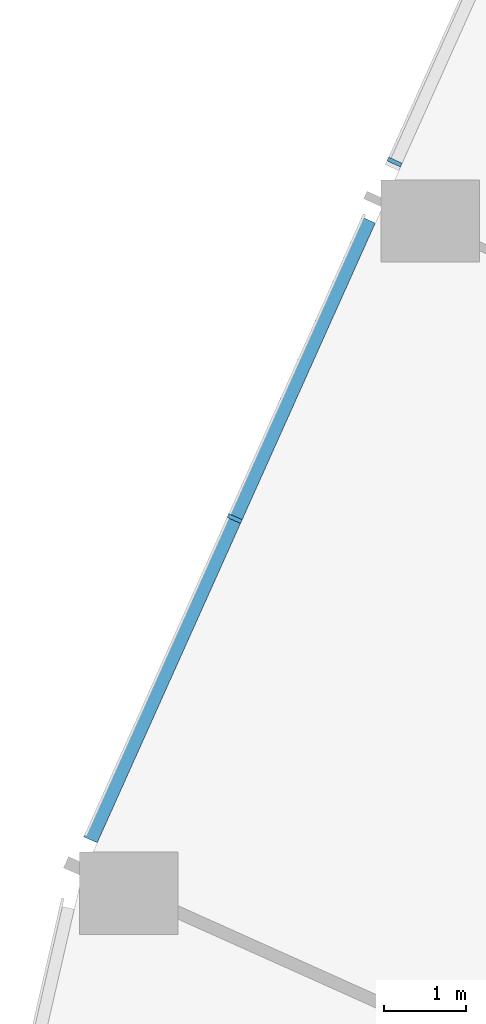
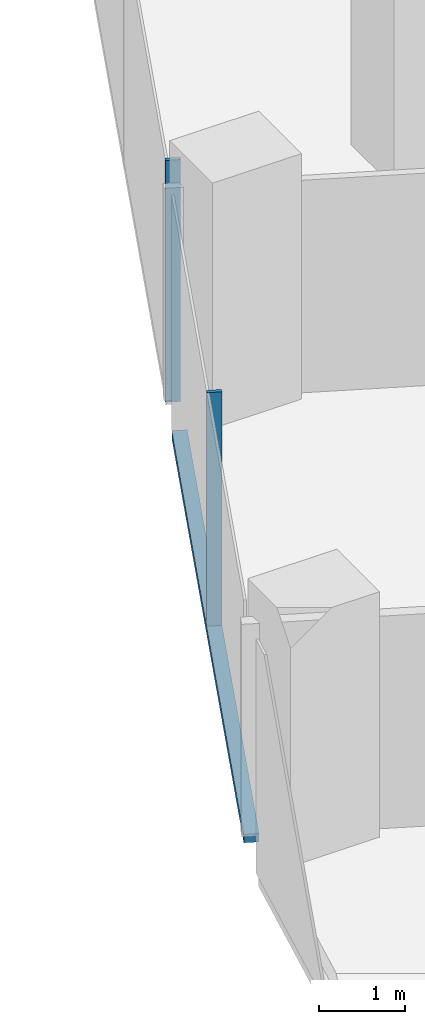
# One storey, part 4 of 34: 3 members, 1 element without a shape of its own.
"""IFC4 building model written with IfcOpenShell, lengths in metres."""

from ifc_helpers import new_model, si_unit, direction, frame, origin, origin_2d, place, context, subcontext, project, spatial, rectangle, extrude, material, material_profile, profile_set, type_object, element, aggregate, save


model = new_model("IFC4")

# Units and contexts
model_context = context("Model", 3, precision=1e-05, world=origin(), true_north=direction((0.0, 1.0)))
body_context = subcontext(model_context, "Body", "Model", "MODEL_VIEW")
ifc_project = project(units=[si_unit("LENGTHUNIT", "METRE"), si_unit("AREAUNIT", "SQUARE_METRE"), si_unit("VOLUMEUNIT", "CUBIC_METRE"), si_unit("PLANEANGLEUNIT", "RADIAN"), si_unit("MASSUNIT", "GRAM", prefix="KILO")], contexts=[model_context])

# Site, building, storey
site_placement = place(None, origin())
site = spatial("IfcSite", under=ifc_project, at=site_placement, CompositionType="ELEMENT")
building_placement = place(site_placement, origin())
building = spatial("IfcBuilding", under=site, at=building_placement, Name="Orlundy Tower", CompositionType="ELEMENT")
storey_placement = place(building_placement, frame((0.0, 0.0, 134.199951171875)))
storey = spatial("IfcBuildingStorey", under=building, at=storey_placement, Name="L34", CompositionType="ELEMENT", Elevation=134.199951171875)

# Curtain wall, members
ifc_material_1 = material(Name="Aluminium bronze anodised", Category="aluminium")
curtain_wall_type = type_object("IfcCurtainWallType", Name="CW1 wall", PredefinedType="NOTDEFINED", material=ifc_material_1)
curtain_wall_placement = place(storey_placement, origin())
curtain_wall = element("IfcCurtainWall", 1, at=curtain_wall_placement, inside=storey, type_object=curtain_wall_type, Name="CW1 run 00", PredefinedType="NOTDEFINED")
ifc_material_2 = material(Name="Aluminium bronze anodised", Category="aluminium")
ifc_material_profile_1 = material_profile(ifc_material_2, rectangle(XDim=0.179931640625, YDim=0.050048828125, at=origin_2d()), Name="CW1 mullion 50x180")
ifc_profile_set_1 = profile_set([ifc_material_profile_1], Name="Aluminium bronze anodised")
member_type_1 = type_object("IfcMemberType", Name="CW1 mullion 50x180", PredefinedType="MULLION", material=ifc_profile_set_1)
member_1_placement = place(storey_placement, frame((-37.26123046875, -33.966552734375, -0.39990234375), z_axis=(0.0, 0.0, 1.0), x_axis=(-0.912353169834, 0.409404071174, 0.0)))
member_1 = element("IfcMember", 2, at=member_1_placement, type_object=member_type_1, Name="CW1 mullion 2", PredefinedType="MULLION", context=body_context, shape_type="SweptSolid", body=[
    extrude(rectangle(XDim=0.179931640625, YDim=0.050048828125, at=origin_2d()), origin(), (0.0, 0.0, 1.0), 3.449951171875),
])
member_2_placement = place(storey_placement, frame((-35.314453125, -29.628173828125, -0.39990234375), z_axis=(0.0, 0.0, 1.0), x_axis=(-0.912353169834, 0.409404071174, 0.0)))
member_2 = element("IfcMember", 3, at=member_2_placement, type_object=member_type_1, Name="CW1 mullion 3", PredefinedType="MULLION", context=body_context, shape_type="SweptSolid", body=[
    extrude(rectangle(XDim=0.179931640625, YDim=0.050048828125, at=origin_2d()), origin(), (0.0, 0.0, 1.0), 3.449951171875),
])
ifc_material_3 = material(Name="Aluminium bronze anodised", Category="aluminium")
ifc_material_profile_2 = material_profile(ifc_material_3, rectangle(XDim=0.179931640625, YDim=0.1201171875, at=origin_2d()), Name="CW1 transom 180x120")
ifc_profile_set_2 = profile_set([ifc_material_profile_2], Name="Aluminium bronze anodised")
member_type_2 = type_object("IfcMemberType", Name="CW1 transom 180x120", PredefinedType="USERDEFINED", material=ifc_profile_set_2)
member_3_placement = place(storey_placement, frame((-39.015869140625, -37.876953125, -0.33984375), z_axis=(0.409379753605, 0.91236408157, 0.0), x_axis=(-0.91236408157, 0.409379753605, 0.0)))
member_3 = element("IfcMember", 4, at=member_3_placement, type_object=member_type_2, Name="CW1 transom", ObjectType="TRANSOM", PredefinedType="USERDEFINED", context=body_context, shape_type="SweptSolid", body=[
    extrude(rectangle(XDim=0.179931640625, YDim=0.1201171875, at=origin_2d()), origin(), (0.0, 0.0, 1.0), 8.26806640625),
])
aggregate(curtain_wall, [member_1, member_2, member_3])

save(model, "model.ifc")
